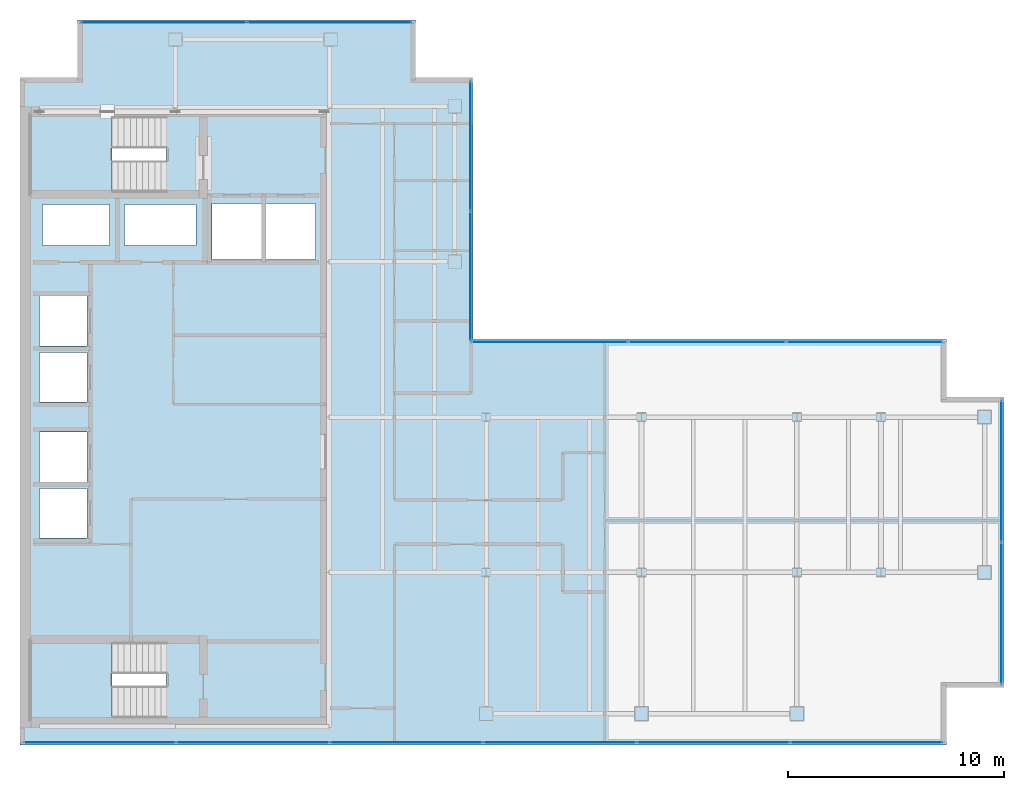
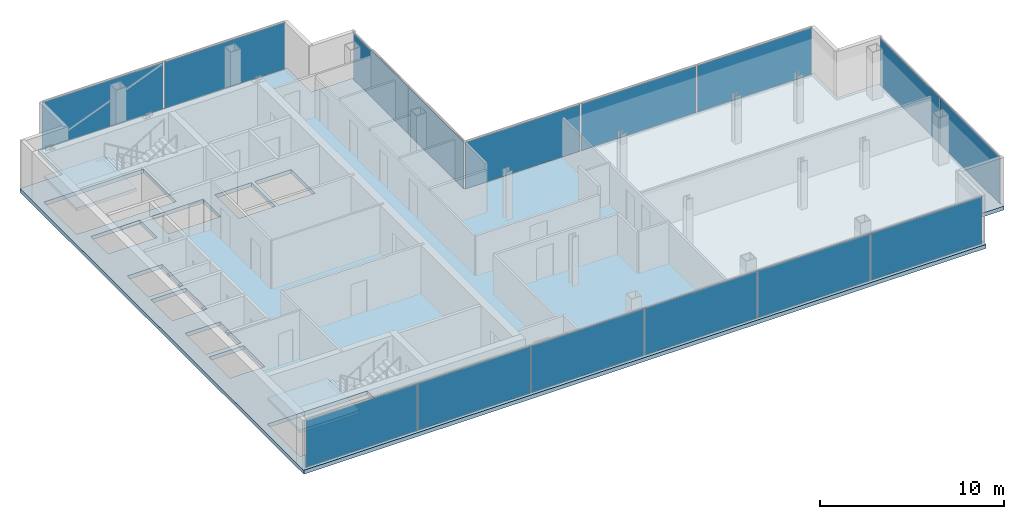
# One storey, part 19 of 23: 15 plates, 3 slabs, 10 openings, 7 elements without a shape of their own.
"""IFC4 building model written with IfcOpenShell, lengths in metres."""

from ifc_helpers import new_model, si_unit, direction, frame, origin, origin_2d, place, context, subcontext, project, spatial, polyline, rectangle, outline, extrude, material, layer, layer_set, type_object, element, aggregate, save


model = new_model("IFC4")

# Units and contexts
model_context = context("Model", 3, precision=1e-05, world=origin(), true_north=direction((0.0, 1.0)))
body_context = subcontext(model_context, "Body", "Model", "MODEL_VIEW")
ifc_project = project(units=[si_unit("LENGTHUNIT", "METRE"), si_unit("AREAUNIT", "SQUARE_METRE"), si_unit("VOLUMEUNIT", "CUBIC_METRE"), si_unit("PLANEANGLEUNIT", "RADIAN"), si_unit("MASSUNIT", "GRAM", prefix="KILO")], contexts=[model_context])

# Site, building, storey
site_placement = place(None, origin())
site = spatial("IfcSite", under=ifc_project, at=site_placement, CompositionType="ELEMENT")
building_placement = place(site_placement, origin())
building = spatial("IfcBuilding", under=site, at=building_placement, Name="Cobrela Telecom Tower", CompositionType="ELEMENT")
storey_placement = place(building_placement, frame((0.0, 0.0, 279.64990234375)))
storey = spatial("IfcBuildingStorey", under=building, at=storey_placement, Name="L73", CompositionType="ELEMENT", Elevation=279.64990234375)

# Curtain wall, plates
ifc_material_1 = material(Name="Anodized Bronze Aluminium 6063-T6", Category="aluminium")
curtain_wall_type = type_object("IfcCurtainWallType", Name="CW-SYS-OFF-HI", PredefinedType="USERDEFINED", material=ifc_material_1)
curtain_wall_1_placement = place(storey_placement, origin())
curtain_wall_1 = element("IfcCurtainWall", 1, at=curtain_wall_1_placement, inside=storey, type_object=curtain_wall_type, Name="L73 Unitised Bronze Curtain Wall 05", ObjectType="UNITISED CURTAIN WALL", PredefinedType="USERDEFINED")
ifc_material_2 = material(Name="Solar-Control Bronze Low-E Glass", Category="glass")
ifc_layer_1 = layer(ifc_material_2, 0.030029296875)
ifc_layer_set_1 = layer_set([ifc_layer_1], Name="Solar-Control Bronze Low-E Glass")
plate_type = type_object("IfcPlateType", Name="CW-SYS-OFF-HI-PNL", PredefinedType="CURTAIN_PANEL", material=ifc_layer_set_1)
plate_1_placement = place(storey_placement, frame((6.66259765625, 39.8798828125, 0.06494140625), z_axis=(0.0, 0.0, 1.0), x_axis=(1.0, 0.0, 0.0)))
plate_1 = element("IfcPlate", 2, at=plate_1_placement, type_object=plate_type, Name="CW-OFF-HI panel 1.1", PredefinedType="CURTAIN_PANEL", context=body_context, shape_type="SweptSolid", body=[
    extrude(rectangle(XDim=7.60498046875, YDim=0.030029296875, at=origin_2d()), origin(), (0.0, 0.0, 1.0), 3.110107421875),
])
plate_2_placement = place(storey_placement, frame((14.33740234375, 39.8798828125, 0.06494140625), z_axis=(0.0, 0.0, 1.0), x_axis=(1.0, 0.0, 0.0)))
plate_2 = element("IfcPlate", 3, at=plate_2_placement, type_object=plate_type, Name="CW-OFF-HI panel 2.1", PredefinedType="CURTAIN_PANEL", context=body_context, shape_type="SweptSolid", body=[
    extrude(rectangle(XDim=7.60498046875, YDim=0.030029296875, at=origin_2d()), origin(), (0.0, 0.0, 1.0), 3.110107421875),
])
aggregate(curtain_wall_1, [plate_1, plate_2])

curtain_wall_2_placement = place(storey_placement, origin())
curtain_wall_2 = element("IfcCurtainWall", 4, at=curtain_wall_2_placement, inside=storey, type_object=curtain_wall_type, Name="L73 Unitised Bronze Curtain Wall 08", ObjectType="UNITISED CURTAIN WALL", PredefinedType="USERDEFINED")
plate_3_placement = place(storey_placement, frame((20.8798828125, 34.159912109375, 0.06494140625), z_axis=(0.0, 0.0, 1.0), x_axis=(0.0, -1.0, 0.0)))
plate_3 = element("IfcPlate", 5, at=plate_3_placement, type_object=plate_type, Name="CW-OFF-HI panel 1.1", PredefinedType="CURTAIN_PANEL", context=body_context, shape_type="SweptSolid", body=[
    extrude(rectangle(XDim=5.9599609375, YDim=0.030029296875, at=origin_2d()), origin(), (0.0, 0.0, 1.0), 3.110107421875),
])
plate_4_placement = place(storey_placement, frame((20.8798828125, 28.1298828125, 0.06494140625), z_axis=(0.0, 0.0, 1.0), x_axis=(0.0, -1.0, 0.0)))
plate_4 = element("IfcPlate", 6, at=plate_4_placement, type_object=plate_type, Name="CW-OFF-HI panel 2.1", PredefinedType="CURTAIN_PANEL", context=body_context, shape_type="SweptSolid", body=[
    extrude(rectangle(XDim=5.9599609375, YDim=0.030029296875, at=origin_2d()), origin(), (0.0, 0.0, 1.0), 3.110107421875),
])
aggregate(curtain_wall_2, [plate_3, plate_4])

curtain_wall_3_placement = place(storey_placement, origin())
curtain_wall_3 = element("IfcCurtainWall", 7, at=curtain_wall_3_placement, inside=storey, type_object=curtain_wall_type, Name="L73 Unitised Bronze Curtain Wall 09", ObjectType="UNITISED CURTAIN WALL", PredefinedType="USERDEFINED")
plate_5_placement = place(storey_placement, frame((24.552490234375, 25.080078125, 0.06494140625), z_axis=(0.0, 0.0, 1.0), x_axis=(1.0, 0.0, 0.0)))
plate_5 = element("IfcPlate", 8, at=plate_5_placement, type_object=plate_type, Name="CW-OFF-HI panel 1.1", PredefinedType="CURTAIN_PANEL", context=body_context, shape_type="SweptSolid", body=[
    extrude(rectangle(XDim=7.205078125, YDim=0.030029296875, at=origin_2d()), origin(), (0.0, 0.0, 1.0), 3.110107421875),
])
plate_6_placement = place(storey_placement, frame((31.844970703125, 25.080078125, 0.06494140625), z_axis=(0.0, 0.0, 1.0), x_axis=(1.0, 0.0, 0.0)))
plate_6 = element("IfcPlate", 9, at=plate_6_placement, type_object=plate_type, Name="CW-OFF-HI panel 2.1", PredefinedType="CURTAIN_PANEL", context=body_context, shape_type="SweptSolid", body=[
    extrude(rectangle(XDim=7.239990234375, YDim=0.030029296875, at=origin_2d()), origin(), (0.0, 0.0, 1.0), 3.110107421875),
])
plate_7_placement = place(storey_placement, frame((39.137451171875, 25.080078125, 0.06494140625), z_axis=(0.0, 0.0, 1.0), x_axis=(1.0, 0.0, 0.0)))
plate_7 = element("IfcPlate", 10, at=plate_7_placement, type_object=plate_type, Name="CW-OFF-HI panel 3.1", PredefinedType="CURTAIN_PANEL", context=body_context, shape_type="SweptSolid", body=[
    extrude(rectangle(XDim=7.205078125, YDim=0.030029296875, at=origin_2d()), origin(), (0.0, 0.0, 1.0), 3.110107421875),
])
aggregate(curtain_wall_3, [plate_5, plate_6, plate_7])

curtain_wall_4_placement = place(storey_placement, origin())
curtain_wall_4 = element("IfcCurtainWall", 11, at=curtain_wall_4_placement, inside=storey, type_object=curtain_wall_type, Name="L73 Unitised Bronze Curtain Wall 12", ObjectType="UNITISED CURTAIN WALL", PredefinedType="USERDEFINED")
plate_8_placement = place(storey_placement, frame((45.47998046875, 19.08740234375, 0.06494140625), z_axis=(0.0, 0.0, 1.0), x_axis=(0.0, -1.0, 0.0)))
plate_8 = element("IfcPlate", 12, at=plate_8_placement, type_object=plate_type, Name="CW-OFF-HI panel 1.1", PredefinedType="CURTAIN_PANEL", context=body_context, shape_type="SweptSolid", body=[
    extrude(rectangle(XDim=6.5048828125, YDim=0.030029296875, at=origin_2d()), origin(), (0.0, 0.0, 1.0), 3.110107421875),
])
plate_9_placement = place(storey_placement, frame((45.47998046875, 12.512451171875, 0.06494140625), z_axis=(0.0, 0.0, 1.0), x_axis=(0.0, -1.0, 0.0)))
plate_9 = element("IfcPlate", 13, at=plate_9_placement, type_object=plate_type, Name="CW-OFF-HI panel 2.1", PredefinedType="CURTAIN_PANEL", context=body_context, shape_type="SweptSolid", body=[
    extrude(rectangle(XDim=6.5048828125, YDim=0.030029296875, at=origin_2d()), origin(), (0.0, 0.0, 1.0), 3.110107421875),
])
aggregate(curtain_wall_4, [plate_8, plate_9])

curtain_wall_5_placement = place(storey_placement, origin())
curtain_wall_5 = element("IfcCurtainWall", 14, at=curtain_wall_5_placement, inside=storey, type_object=curtain_wall_type, Name="L73 Unitised Bronze Curtain Wall 15", ObjectType="UNITISED CURTAIN WALL", PredefinedType="USERDEFINED")
plate_10_placement = place(storey_placement, frame((39.235107421875, 6.52001953125, 0.06494140625), z_axis=(0.0, 0.0, 1.0), x_axis=(-1.0, 0.0, 0.0)))
plate_10 = element("IfcPlate", 15, at=plate_10_placement, type_object=plate_type, Name="CW-OFF-HI panel 1.1", PredefinedType="CURTAIN_PANEL", context=body_context, shape_type="SweptSolid", body=[
    extrude(rectangle(XDim=7.010009765625, YDim=0.030029296875, at=origin_2d()), origin(), (0.0, 0.0, 1.0), 3.110107421875),
])
plate_11_placement = place(storey_placement, frame((32.137451171875, 6.52001953125, 0.06494140625), z_axis=(0.0, 0.0, 1.0), x_axis=(-1.0, 0.0, 0.0)))
plate_11 = element("IfcPlate", 16, at=plate_11_placement, type_object=plate_type, Name="CW-OFF-HI panel 2.1", PredefinedType="CURTAIN_PANEL", context=body_context, shape_type="SweptSolid", body=[
    extrude(rectangle(XDim=7.044921875, YDim=0.030029296875, at=origin_2d()), origin(), (0.0, 0.0, 1.0), 3.110107421875),
])
plate_12_placement = place(storey_placement, frame((25.0224609375, 6.52001953125, 0.06494140625), z_axis=(0.0, 0.0, 1.0), x_axis=(-1.0, 0.0, 0.0)))
plate_12 = element("IfcPlate", 17, at=plate_12_placement, type_object=plate_type, Name="CW-OFF-HI panel 3.1", PredefinedType="CURTAIN_PANEL", context=body_context, shape_type="SweptSolid", body=[
    extrude(rectangle(XDim=7.044921875, YDim=0.030029296875, at=origin_2d()), origin(), (0.0, 0.0, 1.0), 3.110107421875),
])
plate_13_placement = place(storey_placement, frame((17.907470703125, 6.52001953125, 0.06494140625), z_axis=(0.0, 0.0, 1.0), x_axis=(-1.0, 0.0, 0.0)))
plate_13 = element("IfcPlate", 18, at=plate_13_placement, type_object=plate_type, Name="CW-OFF-HI panel 4.1", PredefinedType="CURTAIN_PANEL", context=body_context, shape_type="SweptSolid", body=[
    extrude(rectangle(XDim=7.044921875, YDim=0.030029296875, at=origin_2d()), origin(), (0.0, 0.0, 1.0), 3.110107421875),
])
plate_14_placement = place(storey_placement, frame((10.79248046875, 6.52001953125, 0.06494140625), z_axis=(0.0, 0.0, 1.0), x_axis=(-1.0, 0.0, 0.0)))
plate_14 = element("IfcPlate", 19, at=plate_14_placement, type_object=plate_type, Name="CW-OFF-HI panel 5.1", PredefinedType="CURTAIN_PANEL", context=body_context, shape_type="SweptSolid", body=[
    extrude(rectangle(XDim=7.044921875, YDim=0.030029296875, at=origin_2d()), origin(), (0.0, 0.0, 1.0), 3.110107421875),
])
plate_15_placement = place(storey_placement, frame((3.695068359375, 6.52001953125, 0.06494140625), z_axis=(0.0, 0.0, 1.0), x_axis=(-1.0, 0.0, 0.0)))
plate_15 = element("IfcPlate", 20, at=plate_15_placement, type_object=plate_type, Name="CW-OFF-HI panel 6.1", PredefinedType="CURTAIN_PANEL", context=body_context, shape_type="SweptSolid", body=[
    extrude(rectangle(XDim=7.010009765625, YDim=0.030029296875, at=origin_2d()), origin(), (0.0, 0.0, 1.0), 3.110107421875),
])
aggregate(curtain_wall_5, [plate_10, plate_11, plate_12, plate_13, plate_14, plate_15])

# Slab, openings
ifc_material_3 = material(Name="Concrete C40/50", Category="concrete")
ifc_layer_2 = layer(ifc_material_3, 0.260009765625)
ifc_layer_set_2 = layer_set([ifc_layer_2], Name="Concrete C40/50")
slab_type_1 = type_object("IfcSlabType", Name="SLAB-FLR-260", PredefinedType="FLOOR", material=ifc_layer_set_2)
slab_1_placement = place(storey_placement, frame((0.0, 0.0, -0.260009765625)))
slab_1 = element("IfcSlab", 21, at=slab_1_placement, inside=storey, type_object=slab_type_1, Name="L73 Structural Floor Slab", PredefinedType="FLOOR", context=body_context, shape_type="SweptSolid", body=[
    extrude(outline(polyline([(0.0, 6.39990234375), (42.929931640625, 6.39990234375), (42.929931640625, 9.070068359375), (45.60009765625, 9.070068359375), (45.60009765625, 22.530029296875), (42.929931640625, 22.530029296875), (42.929931640625, 25.199951171875), (21.0, 25.199951171875), (21.0, 37.330078125), (18.330078125, 37.330078125), (18.330078125, 40.0), (2.669921875, 40.0), (2.669921875, 37.330078125), (0.0, 37.330078125), (0.0, 6.39990234375)])), origin(), (0.0, 0.0, 1.0), 0.260009765625),
])
opening_1_placement = place(slab_1_placement, frame((0.0, 0.0, -0.02001953125)))
element("IfcOpeningElement", 22, at=opening_1_placement, cuts=slab_1, Name="Slab Shaft Opening SLAB-L73-MAIN.1", PredefinedType="OPENING", context=body_context, shape_type="SweptSolid", body=[
    extrude(outline(polyline([(8.89990234375, 28.89990234375), (11.199951171875, 28.89990234375), (11.199951171875, 31.5), (8.89990234375, 31.5), (8.89990234375, 28.89990234375)])), origin(), (0.0, 0.0, 1.0), 0.300048828125),
])
opening_2_placement = place(slab_1_placement, frame((0.0, 0.0, -0.02001953125)))
element("IfcOpeningElement", 23, at=opening_2_placement, cuts=slab_1, Name="Slab Shaft Opening SLAB-L73-MAIN.2", PredefinedType="OPENING", context=body_context, shape_type="SweptSolid", body=[
    extrude(outline(polyline([(11.39990234375, 28.89990234375), (13.699951171875, 28.89990234375), (13.699951171875, 31.5), (11.39990234375, 31.5), (11.39990234375, 28.89990234375)])), origin(), (0.0, 0.0, 1.0), 0.300048828125),
])
opening_3_placement = place(slab_1_placement, frame((0.0, 0.0, -0.02001953125)))
element("IfcOpeningElement", 24, at=opening_3_placement, cuts=slab_1, Name="Slab Shaft Opening SLAB-L73-MAIN.3", PredefinedType="OPENING", context=body_context, shape_type="SweptSolid", body=[
    extrude(outline(polyline([(0.89990234375, 16.0), (3.10009765625, 16.0), (3.10009765625, 18.300048828125), (0.89990234375, 18.300048828125), (0.89990234375, 16.0)])), origin(), (0.0, 0.0, 1.0), 0.300048828125),
])
opening_4_placement = place(slab_1_placement, frame((0.0, 0.0, -0.02001953125)))
element("IfcOpeningElement", 25, at=opening_4_placement, cuts=slab_1, Name="Slab Shaft Opening SLAB-L73-MAIN.4", PredefinedType="OPENING", context=body_context, shape_type="SweptSolid", body=[
    extrude(outline(polyline([(0.89990234375, 18.60009765625), (3.10009765625, 18.60009765625), (3.10009765625, 20.89990234375), (0.89990234375, 20.89990234375), (0.89990234375, 18.60009765625)])), origin(), (0.0, 0.0, 1.0), 0.300048828125),
])
opening_5_placement = place(slab_1_placement, frame((0.0, 0.0, -0.02001953125)))
element("IfcOpeningElement", 26, at=opening_5_placement, cuts=slab_1, Name="Slab Shaft Opening SLAB-L73-MAIN.5", PredefinedType="OPENING", context=body_context, shape_type="SweptSolid", body=[
    extrude(outline(polyline([(0.89990234375, 22.300048828125), (3.10009765625, 22.300048828125), (3.10009765625, 24.60009765625), (0.89990234375, 24.60009765625), (0.89990234375, 22.300048828125)])), origin(), (0.0, 0.0, 1.0), 0.300048828125),
])
opening_6_placement = place(slab_1_placement, frame((0.0, 0.0, -0.02001953125)))
element("IfcOpeningElement", 27, at=opening_6_placement, cuts=slab_1, Name="Slab Shaft Opening SLAB-L73-MAIN.6", PredefinedType="OPENING", context=body_context, shape_type="SweptSolid", body=[
    extrude(outline(polyline([(0.89990234375, 24.89990234375), (3.10009765625, 24.89990234375), (3.10009765625, 27.199951171875), (0.89990234375, 27.199951171875), (0.89990234375, 24.89990234375)])), origin(), (0.0, 0.0, 1.0), 0.300048828125),
])
opening_7_placement = place(slab_1_placement, frame((0.0, 0.0, -0.02001953125)))
element("IfcOpeningElement", 28, at=opening_7_placement, cuts=slab_1, Name="Slab Shaft Opening SLAB-L73-MAIN.7", PredefinedType="OPENING", context=body_context, shape_type="SweptSolid", body=[
    extrude(outline(polyline([(1.050048828125, 29.550048828125), (4.14990234375, 29.550048828125), (4.14990234375, 31.449951171875), (1.050048828125, 31.449951171875), (1.050048828125, 29.550048828125)])), origin(), (0.0, 0.0, 1.0), 0.300048828125),
])
opening_8_placement = place(slab_1_placement, frame((0.0, 0.0, -0.02001953125)))
element("IfcOpeningElement", 29, at=opening_8_placement, cuts=slab_1, Name="Slab Shaft Opening SLAB-L73-MAIN.8", PredefinedType="OPENING", context=body_context, shape_type="SweptSolid", body=[
    extrude(outline(polyline([(4.85009765625, 29.550048828125), (8.14990234375, 29.550048828125), (8.14990234375, 31.449951171875), (4.85009765625, 31.449951171875), (4.85009765625, 29.550048828125)])), origin(), (0.0, 0.0, 1.0), 0.300048828125),
])
opening_9_placement = place(slab_1_placement, frame((0.0, 0.0, -0.02001953125)))
element("IfcOpeningElement", 30, at=opening_9_placement, cuts=slab_1, Name="Slab Shaft Opening SLAB-L73-MAIN.9", PredefinedType="OPENING", context=body_context, shape_type="SweptSolid", body=[
    extrude(outline(polyline([(6.7548828125, 35.550048828125), (0.47998046875, 35.550048828125), (0.47998046875, 32.0), (6.7548828125, 32.0), (6.7548828125, 35.550048828125)])), origin(), (0.0, 0.0, 1.0), 0.300048828125),
])
opening_10_placement = place(slab_1_placement, frame((0.0, 0.0, -0.02001953125)))
element("IfcOpeningElement", 31, at=opening_10_placement, cuts=slab_1, Name="Slab Shaft Opening SLAB-L73-MAIN.10", PredefinedType="OPENING", context=body_context, shape_type="SweptSolid", body=[
    extrude(outline(polyline([(6.7548828125, 11.199951171875), (0.47998046875, 11.199951171875), (0.47998046875, 7.64990234375), (6.7548828125, 7.64990234375), (6.7548828125, 11.199951171875)])), origin(), (0.0, 0.0, 1.0), 0.300048828125),
])

# Stair, slab
stair_type = type_object("IfcStairType", Name="STAIR-CORE", PredefinedType="HALF_TURN_STAIR", material=ifc_material_3)
stair_1_placement = place(storey_placement, origin())
stair_1 = element("IfcStair", 32, at=stair_1_placement, inside=storey, type_object=stair_type, Name="L73 Smokeproof Exit Stair ST1", PredefinedType="HALF_TURN_STAIR")
ifc_layer_3 = layer(ifc_material_3, 0.199951171875)
ifc_layer_set_3 = layer_set([ifc_layer_3], Name="Concrete C40/50")
slab_type_2 = type_object("IfcSlabType", Name="SLAB-LAND-200", PredefinedType="LANDING", material=ifc_layer_set_3)
slab_2_placement = place(storey_placement, frame((0.0, 0.0, 1.550048828125)))
slab_2 = element("IfcSlab", 33, at=slab_2_placement, type_object=slab_type_2, Name="ST1 landing 1", PredefinedType="LANDING", context=body_context, shape_type="SweptSolid", body=[
    extrude(outline(polyline([(4.2548828125, 35.550048828125), (0.47998046875, 35.550048828125), (0.47998046875, 32.0), (4.2548828125, 32.0), (4.2548828125, 35.550048828125)])), origin(), (0.0, 0.0, 1.0), 0.199951171875),
])
aggregate(stair_1, [slab_2])

stair_2_placement = place(storey_placement, origin())
stair_2 = element("IfcStair", 34, at=stair_2_placement, inside=storey, type_object=stair_type, Name="L73 Smokeproof Exit Stair ST2", PredefinedType="HALF_TURN_STAIR")
slab_3_placement = place(storey_placement, frame((0.0, 0.0, 1.550048828125)))
slab_3 = element("IfcSlab", 35, at=slab_3_placement, type_object=slab_type_2, Name="ST2 landing 1", PredefinedType="LANDING", context=body_context, shape_type="SweptSolid", body=[
    extrude(outline(polyline([(4.2548828125, 11.199951171875), (0.47998046875, 11.199951171875), (0.47998046875, 7.64990234375), (4.2548828125, 7.64990234375), (4.2548828125, 11.199951171875)])), origin(), (0.0, 0.0, 1.0), 0.199951171875),
])
aggregate(stair_2, [slab_3])

save(model, "model.ifc")
